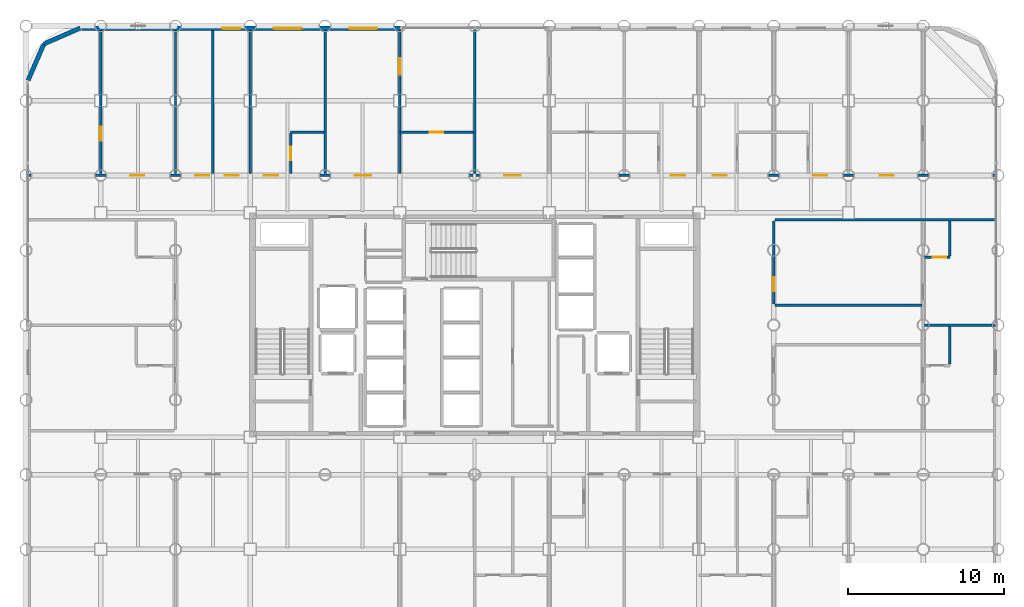
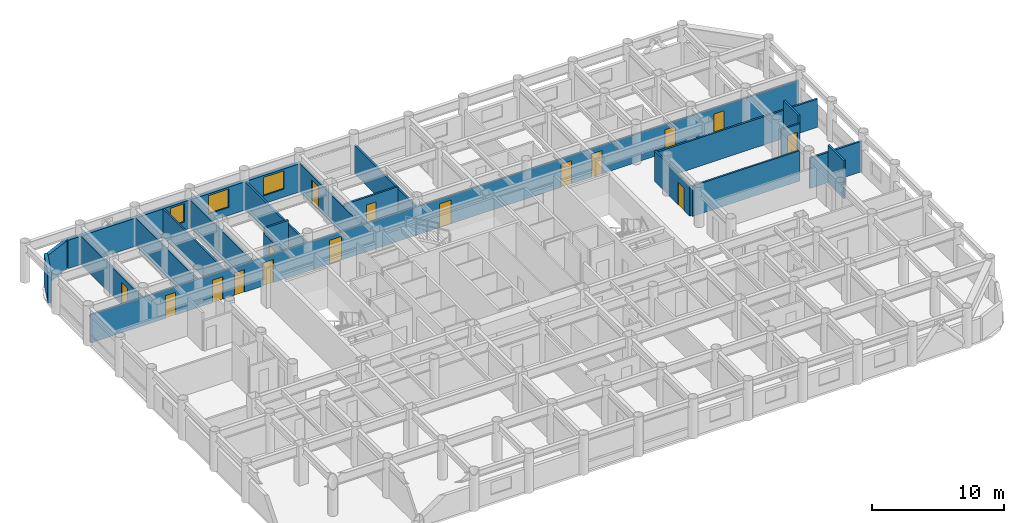
# One storey, part 18 of 20: 21 walls, 16 doors, 3 windows, 19 openings.
"""IFC4 building model written with IfcOpenShell, lengths in metres."""

import ifcopenshell
import ifcopenshell.guid

model = None  # the IFC model being written
_history = None  # IfcOwnerHistory: only IFC2X3 demands one
_inside = {}  # id of a spatial element -> (the spatial element, [elements in it])
_under = {}  # id of a project, library or spatial element -> (it, [spatial elements below it])
_declared = {}  # id of a project -> (the project, [libraries it declares])
_typed = {}  # id of a type object -> (the type object, [elements of that type])
_made_of = {}  # id of a material, layer set ... -> (it, [elements and type objects made of it])


def new_model(schema):
    """Start an empty IFC model of exactly this schema.

    Asked for "IFC4X3", IfcOpenShell would pick the latest addendum, in which some entities
    have other attributes; the version numbers below select the first issue.
    IFC2X3 requires an IfcOwnerHistory on every rooted entity: one is made here for all.
    """
    global model, _history
    if schema == "IFC4X3":
        model = ifcopenshell.file(schema_version=(4, 3, 0, 0))
    else:
        model = ifcopenshell.file(schema=schema)
    _inside.clear()
    _under.clear()
    _declared.clear()
    _typed.clear()
    _made_of.clear()
    _history = None
    if model.schema == "IFC2X3":
        org = make("IfcOrganization", Name="unknown")
        user = make(
            "IfcPersonAndOrganization",
            ThePerson=make("IfcPerson", FamilyName="unknown"),
            TheOrganization=org,
        )
        app = make(
            "IfcApplication",
            ApplicationDeveloper=org,
            Version="unknown",
            ApplicationFullName="unknown",
            ApplicationIdentifier="unknown",
        )
        _history = make(
            "IfcOwnerHistory",
            OwningUser=user,
            OwningApplication=app,
            ChangeAction="ADDED",
            CreationDate=0,
        )
    return model


def make(cls, **values):
    """One entity of the class cls with the attributes given. An attribute that is None is left unset."""
    return model.create_entity(
        cls, **{name: value for name, value in values.items() if value is not None}
    )


def rooted(cls, **values):
    """An entity with a GlobalId (a new one), such as an element, a storey or a relation."""
    return make(cls, GlobalId=ifcopenshell.guid.new(), OwnerHistory=_history, **values)


def si_unit(unit_type, name, prefix=None):
    """IfcSIUnit, for example si_unit("LENGTHUNIT", "METRE", prefix="MILLI")."""
    return make("IfcSIUnit", UnitType=unit_type, Prefix=prefix, Name=name)


def assignment(units):
    """IfcUnitAssignment: the units of a project."""
    return None if units is None else make("IfcUnitAssignment", Units=units)


def point(xyz):
    """IfcCartesianPoint."""
    return None if xyz is None else make("IfcCartesianPoint", Coordinates=xyz)


def direction(xyz):
    """IfcDirection."""
    return None if xyz is None else make("IfcDirection", DirectionRatios=xyz)


def frame(location, z_axis=None, x_axis=None):
    """IfcAxis2Placement3D, a coordinate frame: its origin and axes. An axis left out is left unset."""
    return make(
        "IfcAxis2Placement3D",
        Location=point(location),
        Axis=direction(z_axis),
        RefDirection=direction(x_axis),
    )


def frame_2d(location, x_axis=None):
    """IfcAxis2Placement2D, a coordinate frame in the plane: its origin and x axis."""
    return make(
        "IfcAxis2Placement2D", Location=point(location), RefDirection=direction(x_axis)
    )


def origin():
    """The frame at (0, 0, 0) with its axes left unset."""
    return frame((0.0, 0.0, 0.0))


def place(relative_to, where):
    """IfcLocalPlacement: puts the frame where relative to a parent placement (None: the world)."""
    return make(
        "IfcLocalPlacement", PlacementRelTo=relative_to, RelativePlacement=where
    )


def context(
    kind, dimensions, precision=None, world=None, true_north=None, identifier=None
):
    """IfcGeometricRepresentationContext, for example the 3D "Model" context."""
    return make(
        "IfcGeometricRepresentationContext",
        ContextIdentifier=identifier,
        ContextType=kind,
        CoordinateSpaceDimension=dimensions,
        Precision=precision,
        WorldCoordinateSystem=world,
        TrueNorth=true_north,
    )


def subcontext(parent, identifier, kind, view, scale=None):
    """IfcGeometricRepresentationSubContext, for example "Body" below "Model"."""
    return make(
        "IfcGeometricRepresentationSubContext",
        ContextIdentifier=identifier,
        ContextType=kind,
        ParentContext=parent,
        TargetScale=scale,
        TargetView=view,
    )


def project(units=None, contexts=None):
    """IfcProject with its units and contexts."""
    return rooted(
        "IfcProject",
        Name="project",
        RepresentationContexts=contexts,
        UnitsInContext=assignment(units),
    )


def spatial(cls, under=None, at=None, **own):
    """A site, building, storey or space (cls), placed at a placement, below another one or the project."""
    s = rooted(cls, ObjectPlacement=at, **own)
    if under is not None:
        _under.setdefault(under.id(), (under, []))[1].append(s)
    return s


def profile(cls, at=None, kind="AREA", **sizes):
    """A parametric profile (cls). Its sizes go by their IFC names, for example OverallWidth=200.0."""
    return make(cls, ProfileType=kind, Position=at, **sizes)


def rectangle(**sizes):
    """IfcRectangleProfileDef."""
    return profile("IfcRectangleProfileDef", **sizes)


def extrude(swept, where, along, depth):
    """IfcExtrudedAreaSolid: the profile swept, set in the frame where, extruded along a direction by depth."""
    return make(
        "IfcExtrudedAreaSolid",
        SweptArea=swept,
        Position=where,
        ExtrudedDirection=direction(along),
        Depth=depth,
    )


def shape(context_of_items, identifier, shape_type, items):
    """IfcShapeRepresentation: the items that make up one representation, for example the "Body"."""
    return make(
        "IfcShapeRepresentation",
        ContextOfItems=context_of_items,
        RepresentationIdentifier=identifier,
        RepresentationType=shape_type,
        Items=items,
    )


def material(Name=None, Category=None):
    """IfcMaterial."""
    return make("IfcMaterial", Name=Name, Category=Category)


def layer(
    of_material, thickness, ventilated=None, Name=None, Category=None, Priority=None
):
    """IfcMaterialLayer: one layer of a wall or slab, of a material (None: an air gap)."""
    return make(
        "IfcMaterialLayer",
        Material=of_material,
        LayerThickness=thickness,
        IsVentilated=ventilated,
        Name=Name,
        Category=Category,
        Priority=Priority,
    )


def layer_set(layers, Name=None):
    """IfcMaterialLayerSet."""
    return make("IfcMaterialLayerSet", MaterialLayers=layers, LayerSetName=Name)


def made_of(thing, what):
    """Note that an element or type object is made of a material, layer set ...; save() writes the relation."""
    if what is not None:
        _made_of.setdefault(what.id(), (what, []))[1].append(thing)
    return thing


def type_object(cls, material=None, **own):
    """A type object (cls), such as IfcWallType, which elements share."""
    return made_of(rooted(cls, **own), material)


def element(
    cls,
    number,
    at=None,
    inside=None,
    cuts=None,
    type_object=None,
    material=None,
    context=None,
    identifier="Body",
    shape_type=None,
    held_by="IfcProductDefinitionShape",
    body=None,
    shapes=None,
    **own,
):
    """One element of the class cls, such as IfcWall. Its Tag is "e" and its number.

    at: its placement. inside: the storey or other place that contains it. cuts: it is an
    opening in that element (IfcRelVoidsElement). A single representation is given by context,
    identifier, shape_type and body (its items); several are given by shapes. held_by: the class
    of the entity that holds the representations. save() writes the other relations.
    """
    e = rooted(cls, Tag="e%d" % number, ObjectPlacement=at, **own)
    if body is not None:
        shapes = [shape(context, identifier, shape_type, body)]
    if shapes is not None:
        e.Representation = make(held_by, Representations=shapes)
    if inside is not None:
        _inside.setdefault(inside.id(), (inside, []))[1].append(e)
    if cuts is not None:
        rooted(
            "IfcRelVoidsElement", RelatingBuildingElement=cuts, RelatedOpeningElement=e
        )
    if type_object is not None:
        _typed.setdefault(type_object.id(), (type_object, []))[1].append(e)
    return made_of(e, material)


def fill(opening, filler):
    """IfcRelFillsElement: the door or window that sits in an opening."""
    return rooted(
        "IfcRelFillsElement",
        RelatingOpeningElement=opening,
        RelatedBuildingElement=filler,
    )


def aggregate(whole, parts):
    """IfcRelAggregates: a whole, such as a stair, and the parts it consists of."""
    return rooted("IfcRelAggregates", RelatingObject=whole, RelatedObjects=parts)


def save(model, path):
    """Write the relations noted so far, then the file.

    IfcRelAggregates (storeys below a building ...), IfcRelContainedInSpatialStructure (elements
    in a storey), IfcRelDefinesByType, IfcRelAssociatesMaterial and IfcRelDeclares: one each for
    every whole, place, type object, material and project.
    """
    for whole, parts in _under.values():
        aggregate(whole, parts)
    for where, things in _inside.values():
        rooted(
            "IfcRelContainedInSpatialStructure",
            RelatedElements=things,
            RelatingStructure=where,
        )
    for kind, things in _typed.values():
        rooted("IfcRelDefinesByType", RelatedObjects=things, RelatingType=kind)
    for what, things in _made_of.values():
        rooted("IfcRelAssociatesMaterial", RelatedObjects=things, RelatingMaterial=what)
    for by, libraries in _declared.values():
        rooted("IfcRelDeclares", RelatingContext=by, RelatedDefinitions=libraries)
    model.write(path)


model = new_model("IFC4")

# Units and contexts
model_context = context("Model", 3, precision=1e-05, world=origin(), true_north=direction((0.0, 1.0)))
body_context = subcontext(model_context, "Body", "Model", "MODEL_VIEW")
ifc_project = project(units=[si_unit("LENGTHUNIT", "METRE"), si_unit("AREAUNIT", "SQUARE_METRE"), si_unit("VOLUMEUNIT", "CUBIC_METRE"), si_unit("PLANEANGLEUNIT", "RADIAN"), si_unit("MASSUNIT", "GRAM", prefix="KILO")], contexts=[model_context])

# Site, building, storey
site_placement = place(None, origin())
site = spatial("IfcSite", under=ifc_project, at=site_placement, CompositionType="ELEMENT")
building_placement = place(site_placement, origin())
building = spatial("IfcBuilding", under=site, at=building_placement, Name="Kallvorn Hotel Tower", CompositionType="ELEMENT")
storey_placement = place(building_placement, frame((0.0, 0.0, 74.39990234375)))
storey = spatial("IfcBuildingStorey", under=building, at=storey_placement, Name="L17", CompositionType="ELEMENT", Elevation=74.39990234375)

# Wall
ifc_material_1 = material(Name="Fire-rated double-layer acoustic gypsum drywall EI 60")
ifc_layer_1 = layer(ifc_material_1, 0.159912109375)
ifc_layer_set_1 = layer_set([ifc_layer_1], Name="WL_DEMISE_160")
wall_type_1 = type_object("IfcWallType", Name="WL_DEMISE_160", PredefinedType="PARTITIONING", material=ifc_layer_set_1)
wall_1_placement = place(storey_placement, frame((28.8798828125, 0.0, 0.0), z_axis=(0.0, 0.0, 1.0), x_axis=(1.0, 0.0, 0.0)))
element("IfcWall", 1, at=wall_1_placement, inside=storey, type_object=wall_type_1, Name="L17 Suite 1704 E Andean Twin Room Partition", PredefinedType="PARTITIONING", context=body_context, shape_type="SweptSolid", body=[
    extrude(rectangle(XDim=4.550048828125, YDim=0.159912109375, at=frame_2d((2.27490234375, 0.0))), origin(), (0.0, 0.0, 1.0), 2.820068359375),
])

# Wall, opening, door
wall_2_placement = place(storey_placement, frame((28.8798828125, 4.35009765625, 0.0), z_axis=(0.0, 0.0, 1.0), x_axis=(1.0, 0.0, 0.0)))
wall_2 = element("IfcWall", 2, at=wall_2_placement, inside=storey, type_object=wall_type_1, Name="L17 Suite 1704 E Andean Twin Room Partition", PredefinedType="PARTITIONING", context=body_context, shape_type="SweptSolid", body=[
    extrude(rectangle(XDim=1.6201171875, YDim=0.159912109375, at=frame_2d((0.81005859375, 0.0))), origin(), (0.0, 0.0, 1.0), 2.820068359375),
])
opening_1_placement = place(wall_2_placement, frame((0.5400390625, 0.0, 0.0)))
opening_1 = element("IfcOpeningElement", 3, at=opening_1_placement, cuts=wall_2, Name="Opening BD-I", PredefinedType="OPENING", context=body_context, shape_type="SweptSolid", body=[
    extrude(rectangle(XDim=0.860107421875, YDim=2.10009765625, at=frame_2d((0.43017578125, 1.050048828125))), frame((0.0, 0.094970703125, 0.0), z_axis=(0.0, -1.0, 0.0), x_axis=(1.0, 0.0, 0.0)), (0.0, 0.0, 1.0), 0.18994140625),
])
ifc_material_2 = material(Name="Solid-core walnut veneer fire-rated timber door leaf", Category="wood")
door_type_1 = type_object("IfcDoorType", Name="DR_BATH_860x2100", OperationType="NOTDEFINED", PredefinedType="DOOR", material=ifc_material_2)
door_1_placement = place(opening_1_placement, origin())
door_1 = element("IfcDoor", 4, at=door_1_placement, inside=storey, type_object=door_type_1, Name="L17 Suite 1704 En-Suite Bathroom Door", OperationType="SINGLE_SWING_RIGHT", OverallHeight=2.10009765625, OverallWidth=0.860107421875, PredefinedType="DOOR", context=body_context, shape_type="SweptSolid", body=[
    extrude(rectangle(XDim=0.860107421875, YDim=2.10009765625, at=frame_2d((0.43017578125, 1.050048828125))), frame((0.0, 0.02490234375, 0.0), z_axis=(0.0, -1.0, 0.0), x_axis=(1.0, 0.0, 0.0)), (0.0, 0.0, 1.0), 0.050048828125),
])
fill(opening_1, door_1)

# Wall
wall_3_placement = place(storey_placement, frame((19.280029296875, 6.75830078125, 0.0), z_axis=(0.0, 0.0, 1.0), x_axis=(1.0, 0.0, 0.0)))
element("IfcWall", 5, at=wall_3_placement, inside=storey, type_object=wall_type_1, Name="L17 Suite 1704 E Andean Twin Room Partition", PredefinedType="PARTITIONING", context=body_context, shape_type="SweptSolid", body=[
    extrude(rectangle(XDim=14.14990234375, YDim=0.159912109375, at=frame_2d((7.074951171875, 0.0))), origin(), (0.0, 0.0, 1.0), 2.6201171875),
])

# Wall, openings, doors
wall_4_placement = place(storey_placement, frame((-28.6298828125, 9.60009765625, 0.0), z_axis=(0.0, 0.0, 1.0), x_axis=(1.0, 0.0, 0.0)))
wall_4 = element("IfcWall", 6, at=wall_4_placement, inside=storey, type_object=wall_type_1, Name="L17 Suite 1709 Standard Twin Room Partition", PredefinedType="PARTITIONING", context=body_context, shape_type="SweptSolid", body=[
    extrude(rectangle(XDim=62.059814453125, YDim=0.159912109375, at=frame_2d((31.02978515625, 0.0))), origin(), (0.0, 0.0, 1.0), 2.6201171875),
])
opening_2_placement = place(wall_4_placement, frame((6.5400390625, 0.0, 0.0)))
opening_2 = element("IfcOpeningElement", 7, at=opening_2_placement, cuts=wall_4, Name="Opening SVD1", PredefinedType="OPENING", context=body_context, shape_type="SweptSolid", body=[
    extrude(rectangle(XDim=0.89990234375, YDim=2.10009765625, at=frame_2d((0.449951171875, 1.050048828125))), frame((0.0, 0.094970703125, 0.0), z_axis=(0.0, -1.0, 0.0), x_axis=(1.0, 0.0, 0.0)), (0.0, 0.0, 1.0), 0.18994140625),
])
opening_3_placement = place(wall_4_placement, frame((54.6201171875, 0.0, 0.0)))
opening_3 = element("IfcOpeningElement", 8, at=opening_3_placement, cuts=wall_4, Name="Opening SVD1", PredefinedType="OPENING", context=body_context, shape_type="SweptSolid", body=[
    extrude(rectangle(XDim=0.89990234375, YDim=2.10009765625, at=frame_2d((0.449951171875, 1.050048828125))), frame((0.0, 0.094970703125, 0.0), z_axis=(0.0, -1.0, 0.0), x_axis=(1.0, 0.0, 0.0)), (0.0, 0.0, 1.0), 0.18994140625),
])
opening_4_placement = place(wall_4_placement, frame((10.68994140625, 0.0, 0.0)))
opening_4 = element("IfcOpeningElement", 9, at=opening_4_placement, cuts=wall_4, Name="Opening SVD1", PredefinedType="OPENING", context=body_context, shape_type="SweptSolid", body=[
    extrude(rectangle(XDim=0.89990234375, YDim=2.10009765625, at=frame_2d((0.449951171875, 1.050048828125))), frame((0.0, 0.094970703125, 0.0), z_axis=(0.0, -1.0, 0.0), x_axis=(1.0, 0.0, 0.0)), (0.0, 0.0, 1.0), 0.18994140625),
])
opening_5_placement = place(wall_4_placement, frame((12.580078125, 0.0, 0.0)))
opening_5 = element("IfcOpeningElement", 10, at=opening_5_placement, cuts=wall_4, Name="Opening SVD1", PredefinedType="OPENING", context=body_context, shape_type="SweptSolid", body=[
    extrude(rectangle(XDim=0.89990234375, YDim=2.10009765625, at=frame_2d((0.449951171875, 1.050048828125))), frame((0.0, 0.094970703125, 0.0), z_axis=(0.0, -1.0, 0.0), x_axis=(1.0, 0.0, 0.0)), (0.0, 0.0, 1.0), 0.18994140625),
])
opening_6_placement = place(wall_4_placement, frame((15.10498046875, 0.0, 0.0)))
opening_6 = element("IfcOpeningElement", 11, at=opening_6_placement, cuts=wall_4, Name="Opening GD1", PredefinedType="OPENING", context=body_context, shape_type="SweptSolid", body=[
    extrude(rectangle(XDim=0.919921875, YDim=2.14990234375, at=frame_2d((0.4599609375, 1.074951171875))), frame((0.0, 0.094970703125, 0.0), z_axis=(0.0, -1.0, 0.0), x_axis=(1.0, 0.0, 0.0)), (0.0, 0.0, 1.0), 0.18994140625),
])
opening_7_placement = place(wall_4_placement, frame((20.945068359375, 0.0, 0.0)))
opening_7 = element("IfcOpeningElement", 12, at=opening_7_placement, cuts=wall_4, Name="Opening GD2", PredefinedType="OPENING", context=body_context, shape_type="SweptSolid", body=[
    extrude(rectangle(XDim=1.050048828125, YDim=2.199951171875, at=frame_2d((0.52490234375, 1.10009765625))), frame((0.0, 0.094970703125, 0.0), z_axis=(0.0, -1.0, 0.0), x_axis=(1.0, 0.0, 0.0)), (0.0, 0.0, 1.0), 0.18994140625),
])
opening_8_placement = place(wall_4_placement, frame((30.544921875, 0.0, 0.0)))
opening_8 = element("IfcOpeningElement", 13, at=opening_8_placement, cuts=wall_4, Name="Opening GD2", PredefinedType="OPENING", context=body_context, shape_type="SweptSolid", body=[
    extrude(rectangle(XDim=1.050048828125, YDim=2.199951171875, at=frame_2d((0.52490234375, 1.10009765625))), frame((0.0, 0.094970703125, 0.0), z_axis=(0.0, -1.0, 0.0), x_axis=(1.0, 0.0, 0.0)), (0.0, 0.0, 1.0), 0.18994140625),
])
opening_9_placement = place(wall_4_placement, frame((41.235107421875, 0.0, 0.0)))
opening_9 = element("IfcOpeningElement", 14, at=opening_9_placement, cuts=wall_4, Name="Opening GD1", PredefinedType="OPENING", context=body_context, shape_type="SweptSolid", body=[
    extrude(rectangle(XDim=0.919921875, YDim=2.14990234375, at=frame_2d((0.4599609375, 1.074951171875))), frame((0.0, 0.094970703125, 0.0), z_axis=(0.0, -1.0, 0.0), x_axis=(1.0, 0.0, 0.0)), (0.0, 0.0, 1.0), 0.18994140625),
])
opening_10_placement = place(wall_4_placement, frame((43.905029296875, 0.0, 0.0)))
opening_10 = element("IfcOpeningElement", 15, at=opening_10_placement, cuts=wall_4, Name="Opening GD1", PredefinedType="OPENING", context=body_context, shape_type="SweptSolid", body=[
    extrude(rectangle(XDim=0.919921875, YDim=2.14990234375, at=frame_2d((0.4599609375, 1.074951171875))), frame((0.0, 0.094970703125, 0.0), z_axis=(0.0, -1.0, 0.0), x_axis=(1.0, 0.0, 0.0)), (0.0, 0.0, 1.0), 0.18994140625),
])
opening_11_placement = place(wall_4_placement, frame((50.340087890625, 0.0, 0.0)))
opening_11 = element("IfcOpeningElement", 16, at=opening_11_placement, cuts=wall_4, Name="Opening GD1", PredefinedType="OPENING", context=body_context, shape_type="SweptSolid", body=[
    extrude(rectangle(XDim=0.919921875, YDim=2.14990234375, at=frame_2d((0.4599609375, 1.074951171875))), frame((0.0, 0.094970703125, 0.0), z_axis=(0.0, -1.0, 0.0), x_axis=(1.0, 0.0, 0.0)), (0.0, 0.0, 1.0), 0.18994140625),
])
ifc_material_3 = material(Name="Solid-core walnut veneer fire-rated timber door leaf", Category="wood")
door_type_2 = type_object("IfcDoorType", Name="DR_GUEST_920x2150", OperationType="NOTDEFINED", PredefinedType="DOOR", material=ifc_material_3)
door_2_placement = place(opening_6_placement, origin())
door_2 = element("IfcDoor", 17, at=door_2_placement, inside=storey, type_object=door_type_2, Name="L17 Suite 1709 Standard Twin Room Door", OperationType="SINGLE_SWING_RIGHT", OverallHeight=2.14990234375, OverallWidth=0.919921875, PredefinedType="DOOR", context=body_context, shape_type="SweptSolid", body=[
    extrude(rectangle(XDim=0.919921875, YDim=2.14990234375, at=frame_2d((0.4599609375, 1.074951171875))), frame((0.0, 0.02490234375, 0.0), z_axis=(0.0, -1.0, 0.0), x_axis=(1.0, 0.0, 0.0)), (0.0, 0.0, 1.0), 0.050048828125),
])
fill(opening_6, door_2)
door_3_placement = place(opening_9_placement, origin())
door_3 = element("IfcDoor", 18, at=door_3_placement, inside=storey, type_object=door_type_2, Name="L17 Suite 1712 Standard Twin Room Door", OperationType="SINGLE_SWING_LEFT", OverallHeight=2.14990234375, OverallWidth=0.919921875, PredefinedType="DOOR", context=body_context, shape_type="SweptSolid", body=[
    extrude(rectangle(XDim=0.919921875, YDim=2.14990234375, at=frame_2d((0.4599609375, 1.074951171875))), frame((0.0, 0.02490234375, 0.0), z_axis=(0.0, -1.0, 0.0), x_axis=(1.0, 0.0, 0.0)), (0.0, 0.0, 1.0), 0.050048828125),
])
fill(opening_9, door_3)
door_4_placement = place(opening_10_placement, origin())
door_4 = element("IfcDoor", 19, at=door_4_placement, inside=storey, type_object=door_type_2, Name="L17 Suite 1713 Standard Twin Room Door", OperationType="SINGLE_SWING_RIGHT", OverallHeight=2.14990234375, OverallWidth=0.919921875, PredefinedType="DOOR", context=body_context, shape_type="SweptSolid", body=[
    extrude(rectangle(XDim=0.919921875, YDim=2.14990234375, at=frame_2d((0.4599609375, 1.074951171875))), frame((0.0, 0.02490234375, 0.0), z_axis=(0.0, -1.0, 0.0), x_axis=(1.0, 0.0, 0.0)), (0.0, 0.0, 1.0), 0.050048828125),
])
fill(opening_10, door_4)
door_5_placement = place(opening_11_placement, origin())
door_5 = element("IfcDoor", 20, at=door_5_placement, inside=storey, type_object=door_type_2, Name="L17 Suite 1714 Standard Twin Room Door", OperationType="SINGLE_SWING_LEFT", OverallHeight=2.14990234375, OverallWidth=0.919921875, PredefinedType="DOOR", context=body_context, shape_type="SweptSolid", body=[
    extrude(rectangle(XDim=0.919921875, YDim=2.14990234375, at=frame_2d((0.4599609375, 1.074951171875))), frame((0.0, 0.02490234375, 0.0), z_axis=(0.0, -1.0, 0.0), x_axis=(1.0, 0.0, 0.0)), (0.0, 0.0, 1.0), 0.050048828125),
])
fill(opening_11, door_5)
ifc_material_4 = material(Name="Galvanised painted steel fire-rated door assembly", Category="steel")
door_type_3 = type_object("IfcDoorType", Name="DR_SERV_900x2100", OperationType="NOTDEFINED", PredefinedType="DOOR", material=ifc_material_4)
door_6_placement = place(opening_2_placement, origin())
door_6 = element("IfcDoor", 21, at=door_6_placement, inside=storey, type_object=door_type_3, Name="L17 L17 North-West Fitness Gymnasium B Door", OperationType="SINGLE_SWING_RIGHT", OverallHeight=2.10009765625, OverallWidth=0.89990234375, PredefinedType="DOOR", context=body_context, shape_type="SweptSolid", body=[
    extrude(rectangle(XDim=0.89990234375, YDim=2.10009765625, at=frame_2d((0.449951171875, 1.050048828125))), frame((0.0, 0.02490234375, 0.0), z_axis=(0.0, -1.0, 0.0), x_axis=(1.0, 0.0, 0.0)), (0.0, 0.0, 1.0), 0.050048828125),
])
fill(opening_2, door_6)
door_7_placement = place(opening_3_placement, origin())
door_7 = element("IfcDoor", 22, at=door_7_placement, inside=storey, type_object=door_type_3, Name="L17 L17 North-East Reading Club A Door", OperationType="SINGLE_SWING_RIGHT", OverallHeight=2.10009765625, OverallWidth=0.89990234375, PredefinedType="DOOR", context=body_context, shape_type="SweptSolid", body=[
    extrude(rectangle(XDim=0.89990234375, YDim=2.10009765625, at=frame_2d((0.449951171875, 1.050048828125))), frame((0.0, 0.02490234375, 0.0), z_axis=(0.0, -1.0, 0.0), x_axis=(1.0, 0.0, 0.0)), (0.0, 0.0, 1.0), 0.050048828125),
])
fill(opening_3, door_7)
door_8_placement = place(opening_4_placement, origin())
door_8 = element("IfcDoor", 23, at=door_8_placement, inside=storey, type_object=door_type_3, Name="L17 Housekeeping and Linen Room Door", OperationType="SINGLE_SWING_LEFT", OverallHeight=2.10009765625, OverallWidth=0.89990234375, PredefinedType="DOOR", context=body_context, shape_type="SweptSolid", body=[
    extrude(rectangle(XDim=0.89990234375, YDim=2.10009765625, at=frame_2d((0.449951171875, 1.050048828125))), frame((0.0, 0.02490234375, 0.0), z_axis=(0.0, -1.0, 0.0), x_axis=(1.0, 0.0, 0.0)), (0.0, 0.0, 1.0), 0.050048828125),
])
fill(opening_4, door_8)
door_9_placement = place(opening_5_placement, origin())
door_9 = element("IfcDoor", 24, at=door_9_placement, inside=storey, type_object=door_type_3, Name="L17 Guest Tea and Refreshment Bar Door", OperationType="SINGLE_SWING_RIGHT", OverallHeight=2.10009765625, OverallWidth=0.89990234375, PredefinedType="DOOR", context=body_context, shape_type="SweptSolid", body=[
    extrude(rectangle(XDim=0.89990234375, YDim=2.10009765625, at=frame_2d((0.449951171875, 1.050048828125))), frame((0.0, 0.02490234375, 0.0), z_axis=(0.0, -1.0, 0.0), x_axis=(1.0, 0.0, 0.0)), (0.0, 0.0, 1.0), 0.050048828125),
])
fill(opening_5, door_9)
ifc_material_5 = material(Name="Solid-core walnut veneer fire-rated timber door leaf", Category="wood")
door_type_4 = type_object("IfcDoorType", Name="DR_SUITE_1050x2200", OperationType="NOTDEFINED", PredefinedType="DOOR", material=ifc_material_5)
door_10_placement = place(opening_7_placement, origin())
door_10 = element("IfcDoor", 25, at=door_10_placement, inside=storey, type_object=door_type_4, Name="L17 Suite 1710 Junior Living Salon Door", OperationType="SINGLE_SWING_LEFT", OverallHeight=2.199951171875, OverallWidth=1.050048828125, PredefinedType="DOOR", context=body_context, shape_type="SweptSolid", body=[
    extrude(rectangle(XDim=1.050048828125, YDim=2.199951171875, at=frame_2d((0.52490234375, 1.10009765625))), frame((0.0, 0.02490234375, 0.0), z_axis=(0.0, -1.0, 0.0), x_axis=(1.0, 0.0, 0.0)), (0.0, 0.0, 1.0), 0.050048828125),
])
fill(opening_7, door_10)
door_11_placement = place(opening_8_placement, origin())
door_11 = element("IfcDoor", 26, at=door_11_placement, inside=storey, type_object=door_type_4, Name="L17 Suite 1711 Junior Living Salon Door", OperationType="SINGLE_SWING_RIGHT", OverallHeight=2.199951171875, OverallWidth=1.050048828125, PredefinedType="DOOR", context=body_context, shape_type="SweptSolid", body=[
    extrude(rectangle(XDim=1.050048828125, YDim=2.199951171875, at=frame_2d((0.52490234375, 1.10009765625))), frame((0.0, 0.02490234375, 0.0), z_axis=(0.0, -1.0, 0.0), x_axis=(1.0, 0.0, 0.0)), (0.0, 0.0, 1.0), 0.050048828125),
])
fill(opening_8, door_11)

# Wall
wall_5_placement = place(storey_placement, frame((-11.81005859375, 12.3701171875, 0.0), z_axis=(0.0, 0.0, 1.0), x_axis=(1.0, 0.0, 0.0)))
element("IfcWall", 27, at=wall_5_placement, inside=storey, type_object=wall_type_1, Name="L17 Suite 1709 Standard Twin Room Partition", PredefinedType="PARTITIONING", context=body_context, shape_type="SweptSolid", body=[
    extrude(rectangle(XDim=2.130126953125, YDim=0.159912109375, at=frame_2d((1.06494140625, 0.0))), origin(), (0.0, 0.0, 1.0), 3.070068359375),
])

# Wall, opening, door
wall_6_placement = place(storey_placement, frame((-4.800048828125, 12.3701171875, 0.0), z_axis=(0.0, 0.0, 1.0), x_axis=(1.0, 0.0, 0.0)))
wall_6 = element("IfcWall", 28, at=wall_6_placement, inside=storey, type_object=wall_type_1, Name="L17 Suite 1710 Junior Bedroom Partition", PredefinedType="PARTITIONING", context=body_context, shape_type="SweptSolid", body=[
    extrude(rectangle(XDim=4.719970703125, YDim=0.159912109375, at=frame_2d((2.35986328125, 0.0))), origin(), (0.0, 0.0, 1.0), 2.820068359375),
])
opening_12_placement = place(wall_6_placement, frame((1.929931640625, 0.0, 0.0)))
opening_12 = element("IfcOpeningElement", 29, at=opening_12_placement, cuts=wall_6, Name="Opening BD-I", PredefinedType="OPENING", context=body_context, shape_type="SweptSolid", body=[
    extrude(rectangle(XDim=0.860107421875, YDim=2.10009765625, at=frame_2d((0.43017578125, 1.050048828125))), frame((0.0, 0.094970703125, 0.0), z_axis=(0.0, -1.0, 0.0), x_axis=(1.0, 0.0, 0.0)), (0.0, 0.0, 1.0), 0.18994140625),
])
door_12_placement = place(opening_12_placement, origin())
door_12 = element("IfcDoor", 30, at=door_12_placement, inside=storey, type_object=door_type_1, Name="L17 Suite 1710 En-Suite Bathroom Door", OperationType="SINGLE_SWING_LEFT", OverallHeight=2.10009765625, OverallWidth=0.860107421875, PredefinedType="DOOR", context=body_context, shape_type="SweptSolid", body=[
    extrude(rectangle(XDim=0.860107421875, YDim=2.10009765625, at=frame_2d((0.43017578125, 1.050048828125))), frame((0.0, 0.02490234375, 0.0), z_axis=(0.0, -1.0, 0.0), x_axis=(1.0, 0.0, 0.0)), (0.0, 0.0, 1.0), 0.050048828125),
])
fill(opening_12, door_12)

# Wall
wall_7_placement = place(storey_placement, frame((-14.39990234375, 9.719970703125, 0.0), z_axis=(0.0, 0.0, 1.0), x_axis=(0.0, 1.0, 0.0)))
element("IfcWall", 31, at=wall_7_placement, inside=storey, type_object=wall_type_1, Name="L17 Suite 1709 Standard Twin Room Partition", PredefinedType="PARTITIONING", context=body_context, shape_type="SweptSolid", body=[
    extrude(rectangle(XDim=9.18994140625, YDim=0.159912109375, at=frame_2d((4.594970703125, 0.0))), origin(), (0.0, 0.0, 1.0), 2.6201171875),
])

# Wall, opening, door
wall_8_placement = place(storey_placement, frame((-11.81005859375, 9.719970703125, 0.0), z_axis=(0.0, 0.0, 1.0), x_axis=(0.0, 1.0, 0.0)))
wall_8 = element("IfcWall", 32, at=wall_8_placement, inside=storey, type_object=wall_type_1, Name="L17 Suite 1709 Standard Twin Room Partition", PredefinedType="PARTITIONING", context=body_context, shape_type="SweptSolid", body=[
    extrude(rectangle(XDim=2.56494140625, YDim=0.159912109375, at=frame_2d((1.282470703125, 0.0))), origin(), (0.0, 0.0, 1.0), 2.6201171875),
])
opening_13_placement = place(wall_8_placement, frame((0.8701171875, 0.0, 0.0)))
opening_13 = element("IfcOpeningElement", 33, at=opening_13_placement, cuts=wall_8, Name="Opening BD-I", PredefinedType="OPENING", context=body_context, shape_type="SweptSolid", body=[
    extrude(rectangle(XDim=0.860107421875, YDim=2.10009765625, at=frame_2d((0.43017578125, 1.050048828125))), frame((0.0, 0.094970703125, 0.0), z_axis=(0.0, -1.0, 0.0), x_axis=(1.0, 0.0, 0.0)), (0.0, 0.0, 1.0), 0.18994140625),
])
door_13_placement = place(opening_13_placement, origin())
door_13 = element("IfcDoor", 34, at=door_13_placement, inside=storey, type_object=door_type_1, Name="L17 Suite 1709 En-Suite Bathroom Door", OperationType="SINGLE_SWING_RIGHT", OverallHeight=2.10009765625, OverallWidth=0.860107421875, PredefinedType="DOOR", context=body_context, shape_type="SweptSolid", body=[
    extrude(rectangle(XDim=0.860107421875, YDim=2.10009765625, at=frame_2d((0.43017578125, 1.050048828125))), frame((0.0, 0.02490234375, 0.0), z_axis=(0.0, -1.0, 0.0), x_axis=(1.0, 0.0, 0.0)), (0.0, 0.0, 1.0), 0.050048828125),
])
fill(opening_13, door_13)

# Wall
wall_9_placement = place(storey_placement, frame((-9.60009765625, 9.719970703125, 0.0), z_axis=(0.0, 0.0, 1.0), x_axis=(0.0, 1.0, 0.0)))
element("IfcWall", 35, at=wall_9_placement, inside=storey, type_object=wall_type_1, Name="L17 Suite 1710 Junior Living Salon Partition", PredefinedType="PARTITIONING", context=body_context, shape_type="SweptSolid", body=[
    extrude(rectangle(XDim=9.18994140625, YDim=0.159912109375, at=frame_2d((4.594970703125, 0.0))), origin(), (0.0, 0.0, 1.0), 2.6201171875),
])

# Wall, opening, door
wall_10_placement = place(storey_placement, frame((-4.800048828125, 9.719970703125, 0.0), z_axis=(0.0, 0.0, 1.0), x_axis=(0.0, 1.0, 0.0)))
wall_10 = element("IfcWall", 36, at=wall_10_placement, inside=storey, type_object=wall_type_1, Name="L17 Suite 1710 Junior Living Salon Partition", PredefinedType="PARTITIONING", context=body_context, shape_type="SweptSolid", body=[
    extrude(rectangle(XDim=9.18994140625, YDim=0.159912109375, at=frame_2d((4.594970703125, 0.0))), origin(), (0.0, 0.0, 1.0), 2.6201171875),
])
opening_14_placement = place(wall_10_placement, frame((6.346923828125, 0.0, 0.0)))
opening_14 = element("IfcOpeningElement", 37, at=opening_14_placement, cuts=wall_10, Name="Opening GD2", PredefinedType="OPENING", context=body_context, shape_type="SweptSolid", body=[
    extrude(rectangle(XDim=1.050048828125, YDim=2.199951171875, at=frame_2d((0.52490234375, 1.10009765625))), frame((0.0, 0.094970703125, 0.0), z_axis=(0.0, -1.0, 0.0), x_axis=(1.0, 0.0, 0.0)), (0.0, 0.0, 1.0), 0.18994140625),
])
door_14_placement = place(opening_14_placement, origin())
door_14 = element("IfcDoor", 38, at=door_14_placement, inside=storey, type_object=door_type_4, Name="L17 Suite 1710 Junior Bedroom Door", OperationType="SINGLE_SWING_LEFT", OverallHeight=2.199951171875, OverallWidth=1.050048828125, PredefinedType="DOOR", context=body_context, shape_type="SweptSolid", body=[
    extrude(rectangle(XDim=1.050048828125, YDim=2.199951171875, at=frame_2d((0.52490234375, 1.10009765625))), frame((0.0, 0.02490234375, 0.0), z_axis=(0.0, -1.0, 0.0), x_axis=(1.0, 0.0, 0.0)), (0.0, 0.0, 1.0), 0.050048828125),
])
fill(opening_14, door_14)

# Walls
wall_11_placement = place(storey_placement, frame((0.0, 9.719970703125, 0.0), z_axis=(0.0, 0.0, 1.0), x_axis=(0.0, 1.0, 0.0)))
element("IfcWall", 39, at=wall_11_placement, inside=storey, type_object=wall_type_1, Name="L17 Suite 1711 Junior Living Salon Partition", PredefinedType="PARTITIONING", context=body_context, shape_type="SweptSolid", body=[
    extrude(rectangle(XDim=9.275146484375, YDim=0.159912109375, at=frame_2d((4.6376953125, 0.0))), origin(), (0.0, 0.0, 1.0), 2.6201171875),
])
wall_12_placement = place(storey_placement, frame((30.5, -2.514892578125, 0.0), z_axis=(0.0, 0.0, 1.0), x_axis=(0.0, 1.0, 0.0)))
element("IfcWall", 40, at=wall_12_placement, inside=storey, type_object=wall_type_1, Name="L17 Suite 1703 E Loggia King Room Partition", PredefinedType="PARTITIONING", context=body_context, shape_type="SweptSolid", body=[
    extrude(rectangle(XDim=2.414794921875, YDim=0.159912109375, at=frame_2d((1.20751953125, 0.0))), origin(), (0.0, 0.0, 1.0), 3.52001953125),
])
wall_13_placement = place(storey_placement, frame((30.5, 4.43505859375, 0.0), z_axis=(0.0, 0.0, 1.0), x_axis=(0.0, 1.0, 0.0)))
element("IfcWall", 41, at=wall_13_placement, inside=storey, type_object=wall_type_1, Name="L17 Suite 1704 E Andean Twin Room Partition", PredefinedType="PARTITIONING", context=body_context, shape_type="SweptSolid", body=[
    extrude(rectangle(XDim=2.23828125, YDim=0.159912109375, at=frame_2d((1.119140625, 0.0))), origin(), (0.0, 0.0, 1.0), 3.52001953125),
])
ifc_material_6 = material(Name="Precast basalt-clad insulated concrete wall C40/50", Category="masonry")
ifc_layer_2 = layer(ifc_material_6, 0.280029296875)
ifc_layer_set_2 = layer_set([ifc_layer_2], Name="WL_EXT_LOGGIA_280")
wall_type_2 = type_object("IfcWallType", Name="WL_EXT_LOGGIA_280", PredefinedType="SOLIDWALL", material=ifc_layer_set_2)
wall_14_placement = place(storey_placement, frame((-25.32080078125, 19.057861328125, 0.0), z_axis=(0.0, 0.0, 1.0), x_axis=(-0.917060872934, -0.398747232384, 0.0)))
element("IfcWall", 42, at=wall_14_placement, inside=storey, type_object=wall_type_2, Name="L17 Rounded Corner Exterior Wall NW1", PredefinedType="SOLIDWALL", context=body_context, shape_type="SweptSolid", body=[
    extrude(rectangle(XDim=2.5361328125, YDim=0.280029296875, at=frame_2d((1.26806640625, 0.0))), origin(), (0.0, 0.0, 1.0), 2.6201171875),
])
wall_15_placement = place(storey_placement, frame((-27.646484375, 18.046630859375, 0.0), z_axis=(0.0, 0.0, 1.0), x_axis=(-0.398792985289, -0.917040977756, 0.0)))
element("IfcWall", 43, at=wall_15_placement, inside=storey, type_object=wall_type_2, Name="L17 Rounded Corner Exterior Wall NW2", PredefinedType="SOLIDWALL", context=body_context, shape_type="SweptSolid", body=[
    extrude(rectangle(XDim=2.536376953125, YDim=0.280029296875, at=frame_2d((1.26806640625, 0.0))), origin(), (0.0, 0.0, 1.0), 2.820068359375),
])

# Wall, openings, windows
wall_16_placement = place(storey_placement, frame((-25.199951171875, 19.06005859375, 0.0), z_axis=(0.0, 0.0, 1.0), x_axis=(1.0, 0.0, 0.0)))
wall_16 = element("IfcWall", 44, at=wall_16_placement, inside=storey, type_object=wall_type_2, Name="L17 Exterior Envelope Wall EW-L17-NW", PredefinedType="SOLIDWALL", context=body_context, shape_type="SweptSolid", body=[
    extrude(rectangle(XDim=20.449951171875, YDim=0.280029296875, at=frame_2d((10.22509765625, 0.0))), origin(), (0.0, 0.0, 1.0), 2.6201171875),
])
opening_15_placement = place(wall_16_placement, frame((9.0, 0.0, 0.75)))
opening_15 = element("IfcOpeningElement", 45, at=opening_15_placement, cuts=wall_16, Name="Opening W06", PredefinedType="OPENING", context=body_context, shape_type="SweptSolid", body=[
    extrude(rectangle(XDim=1.199951171875, YDim=1.699951171875, at=frame_2d((0.60009765625, 0.85009765625))), frame((0.0, 0.155029296875, 0.0), z_axis=(0.0, -1.0, 0.0), x_axis=(1.0, 0.0, 0.0)), (0.0, 0.0, 1.0), 0.31005859375),
])
opening_16_placement = place(wall_16_placement, frame((12.300048828125, 0.0, 0.75)))
opening_16 = element("IfcOpeningElement", 46, at=opening_16_placement, cuts=wall_16, Name="Opening W04", PredefinedType="OPENING", context=body_context, shape_type="SweptSolid", body=[
    extrude(rectangle(XDim=1.800048828125, YDim=1.699951171875, at=frame_2d((0.89990234375, 0.85009765625))), frame((0.0, 0.155029296875, 0.0), z_axis=(0.0, -1.0, 0.0), x_axis=(1.0, 0.0, 0.0)), (0.0, 0.0, 1.0), 0.31005859375),
])
opening_17_placement = place(wall_16_placement, frame((17.139892578125, 0.0, 0.75)))
opening_17 = element("IfcOpeningElement", 47, at=opening_17_placement, cuts=wall_16, Name="Opening W04", PredefinedType="OPENING", context=body_context, shape_type="SweptSolid", body=[
    extrude(rectangle(XDim=1.800048828125, YDim=1.699951171875, at=frame_2d((0.89990234375, 0.85009765625))), frame((0.0, 0.155029296875, 0.0), z_axis=(0.0, -1.0, 0.0), x_axis=(1.0, 0.0, 0.0)), (0.0, 0.0, 1.0), 0.31005859375),
])
ifc_material_7 = material(Name="Triple-glazed low-e acoustic solar-control dark glass", Category="glass")
window_type_1 = type_object("IfcWindowType", Name="WN_HTL_1200x1700", PartitioningType="SINGLE_PANEL", PredefinedType="WINDOW", material=ifc_material_7)
window_1_placement = place(opening_15_placement, origin())
window_1 = element("IfcWindow", 48, at=window_1_placement, inside=storey, type_object=window_type_1, Name="L17 Guestroom Exterior Window 08", OverallHeight=1.699951171875, OverallWidth=1.199951171875, PartitioningType="SINGLE_PANEL", PredefinedType="WINDOW", context=body_context, shape_type="SweptSolid", body=[
    extrude(rectangle(XDim=1.199951171875, YDim=1.699951171875, at=frame_2d((0.60009765625, 0.85009765625))), frame((0.0, 0.030029296875, 0.0), z_axis=(0.0, -1.0, 0.0), x_axis=(1.0, 0.0, 0.0)), (0.0, 0.0, 1.0), 0.06005859375),
])
fill(opening_15, window_1)
ifc_material_8 = material(Name="Double-glazed low-e solar-control dark glass", Category="glass")
window_type_2 = type_object("IfcWindowType", Name="WN_HTL_1800x1700", PartitioningType="SINGLE_PANEL", PredefinedType="WINDOW", material=ifc_material_8)
window_2_placement = place(opening_16_placement, origin())
window_2 = element("IfcWindow", 49, at=window_2_placement, inside=storey, type_object=window_type_2, Name="L17 Guestroom Exterior Window 09", OverallHeight=1.699951171875, OverallWidth=1.800048828125, PartitioningType="SINGLE_PANEL", PredefinedType="WINDOW", context=body_context, shape_type="SweptSolid", body=[
    extrude(rectangle(XDim=1.800048828125, YDim=1.699951171875, at=frame_2d((0.89990234375, 0.85009765625))), frame((0.0, 0.030029296875, 0.0), z_axis=(0.0, -1.0, 0.0), x_axis=(1.0, 0.0, 0.0)), (0.0, 0.0, 1.0), 0.06005859375),
])
fill(opening_16, window_2)
window_3_placement = place(opening_17_placement, origin())
window_3 = element("IfcWindow", 50, at=window_3_placement, inside=storey, type_object=window_type_2, Name="L17 Guestroom Exterior Window 10", OverallHeight=1.699951171875, OverallWidth=1.800048828125, PartitioningType="SINGLE_PANEL", PredefinedType="WINDOW", context=body_context, shape_type="SweptSolid", body=[
    extrude(rectangle(XDim=1.800048828125, YDim=1.699951171875, at=frame_2d((0.89990234375, 0.85009765625))), frame((0.0, 0.030029296875, 0.0), z_axis=(0.0, -1.0, 0.0), x_axis=(1.0, 0.0, 0.0)), (0.0, 0.0, 1.0), 0.06005859375),
])
fill(opening_17, window_3)

# Wall
ifc_material_9 = material(Name="Fire-rated double-layer acoustic gypsum drywall EI 60")
ifc_layer_3 = layer(ifc_material_9, 0.14990234375)
ifc_layer_set_3 = layer_set([ifc_layer_3], Name="WL_PART_150")
wall_type_3 = type_object("IfcWallType", Name="WL_PART_150", PredefinedType="PARTITIONING", material=ifc_layer_set_3)
wall_17_placement = place(storey_placement, frame((19.280029296875, 1.260009765625, 0.0), z_axis=(0.0, 0.0, 1.0), x_axis=(1.0, 0.0, 0.0)))
element("IfcWall", 51, at=wall_17_placement, inside=storey, type_object=wall_type_3, Name="L17 L17 East Inner Screening Salon Partition", PredefinedType="PARTITIONING", context=body_context, shape_type="SweptSolid", body=[
    extrude(rectangle(XDim=9.43994140625, YDim=0.14990234375, at=frame_2d((4.719970703125, 0.0))), origin(), (0.0, 0.0, 1.0), 2.820068359375),
])

# Wall, opening, door
wall_18_placement = place(storey_placement, frame((-24.0, 9.719970703125, 0.0), z_axis=(0.0, 0.0, 1.0), x_axis=(0.0, 1.0, 0.0)))
wall_18 = element("IfcWall", 52, at=wall_18_placement, inside=storey, type_object=wall_type_3, Name="L17 L17 North-West Fitness Gymnasium A Partition", PredefinedType="PARTITIONING", context=body_context, shape_type="SweptSolid", body=[
    extrude(rectangle(XDim=9.18994140625, YDim=0.14990234375, at=frame_2d((4.594970703125, 0.0))), origin(), (0.0, 0.0, 1.0), 2.6201171875),
])
opening_18_placement = place(wall_18_placement, frame((2.10791015625, 0.0, 0.0)))
opening_18 = element("IfcOpeningElement", 53, at=opening_18_placement, cuts=wall_18, Name="Opening SVD1", PredefinedType="OPENING", context=body_context, shape_type="SweptSolid", body=[
    extrude(rectangle(XDim=0.89990234375, YDim=2.10009765625, at=frame_2d((0.449951171875, 1.050048828125))), frame((0.0, 0.08984375, 0.0), z_axis=(0.0, -1.0, 0.0), x_axis=(1.0, 0.0, 0.0)), (0.0, 0.0, 1.0), 0.179931640625),
])
door_15_placement = place(opening_18_placement, origin())
door_15 = element("IfcDoor", 54, at=door_15_placement, inside=storey, type_object=door_type_3, Name="L17 L17 North-West Fitness Gymnasium A Door", OperationType="SINGLE_SWING_LEFT", OverallHeight=2.10009765625, OverallWidth=0.89990234375, PredefinedType="DOOR", context=body_context, shape_type="SweptSolid", body=[
    extrude(rectangle(XDim=0.89990234375, YDim=2.10009765625, at=frame_2d((0.449951171875, 1.050048828125))), frame((0.0, 0.02490234375, 0.0), z_axis=(0.0, -1.0, 0.0), x_axis=(1.0, 0.0, 0.0)), (0.0, 0.0, 1.0), 0.050048828125),
])
fill(opening_18, door_15)

# Walls
for number, where, z_axis, x_axis, name in (
    (55, (-19.199951171875, 9.719970703125, 0.0), (0.0, 0.0, 1.0), (0.0, 1.0, 0.0), "L17 Housekeeping and Linen Room Partition"),
    (56, (-16.800048828125, 9.719970703125, 0.0), (0.0, 0.0, 1.0), (0.0, 1.0, 0.0), "L17 Guest Tea and Refreshment Bar Partition"),
):
    element("IfcWall", number, at=place(storey_placement, frame(where, z_axis=z_axis, x_axis=x_axis)), inside=storey, type_object=wall_type_3, Name=name, PredefinedType="PARTITIONING", context=body_context, shape_type="SweptSolid", body=[
        extrude(rectangle(XDim=9.18994140625, YDim=0.14990234375, at=frame_2d((4.594970703125, 0.0))), origin(), (0.0, 0.0, 1.0), 2.6201171875),
    ])

# Wall, opening, door
wall_19_placement = place(storey_placement, frame((19.199951171875, 1.344970703125, 0.0), z_axis=(0.0, 0.0, 1.0), x_axis=(0.0, 1.0, 0.0)))
wall_19 = element("IfcWall", 57, at=wall_19_placement, inside=storey, type_object=wall_type_3, Name="L17 L17 East Inner Screening Salon Partition", PredefinedType="PARTITIONING", context=body_context, shape_type="SweptSolid", body=[
    extrude(rectangle(XDim=5.328369140625, YDim=0.14990234375, at=frame_2d((2.6640625, 0.0))), origin(), (0.0, 0.0, 1.0), 2.820068359375),
])
opening_19_placement = place(wall_19_placement, frame((0.818115234375, 0.0, 0.0)))
opening_19 = element("IfcOpeningElement", 58, at=opening_19_placement, cuts=wall_19, Name="Opening SVD1", PredefinedType="OPENING", context=body_context, shape_type="SweptSolid", body=[
    extrude(rectangle(XDim=0.89990234375, YDim=2.10009765625, at=frame_2d((0.449951171875, 1.050048828125))), frame((0.0, 0.08984375, 0.0), z_axis=(0.0, -1.0, 0.0), x_axis=(1.0, 0.0, 0.0)), (0.0, 0.0, 1.0), 0.179931640625),
])
door_16_placement = place(opening_19_placement, origin())
door_16 = element("IfcDoor", 59, at=door_16_placement, inside=storey, type_object=door_type_3, Name="L17 L17 East Inner Screening Salon Door", OperationType="SINGLE_SWING_LEFT", OverallHeight=2.10009765625, OverallWidth=0.89990234375, PredefinedType="DOOR", context=body_context, shape_type="SweptSolid", body=[
    extrude(rectangle(XDim=0.89990234375, YDim=2.10009765625, at=frame_2d((0.449951171875, 1.050048828125))), frame((0.0, 0.02490234375, 0.0), z_axis=(0.0, -1.0, 0.0), x_axis=(1.0, 0.0, 0.0)), (0.0, 0.0, 1.0), 0.050048828125),
])
fill(opening_19, door_16)

save(model, "model.ifc")
